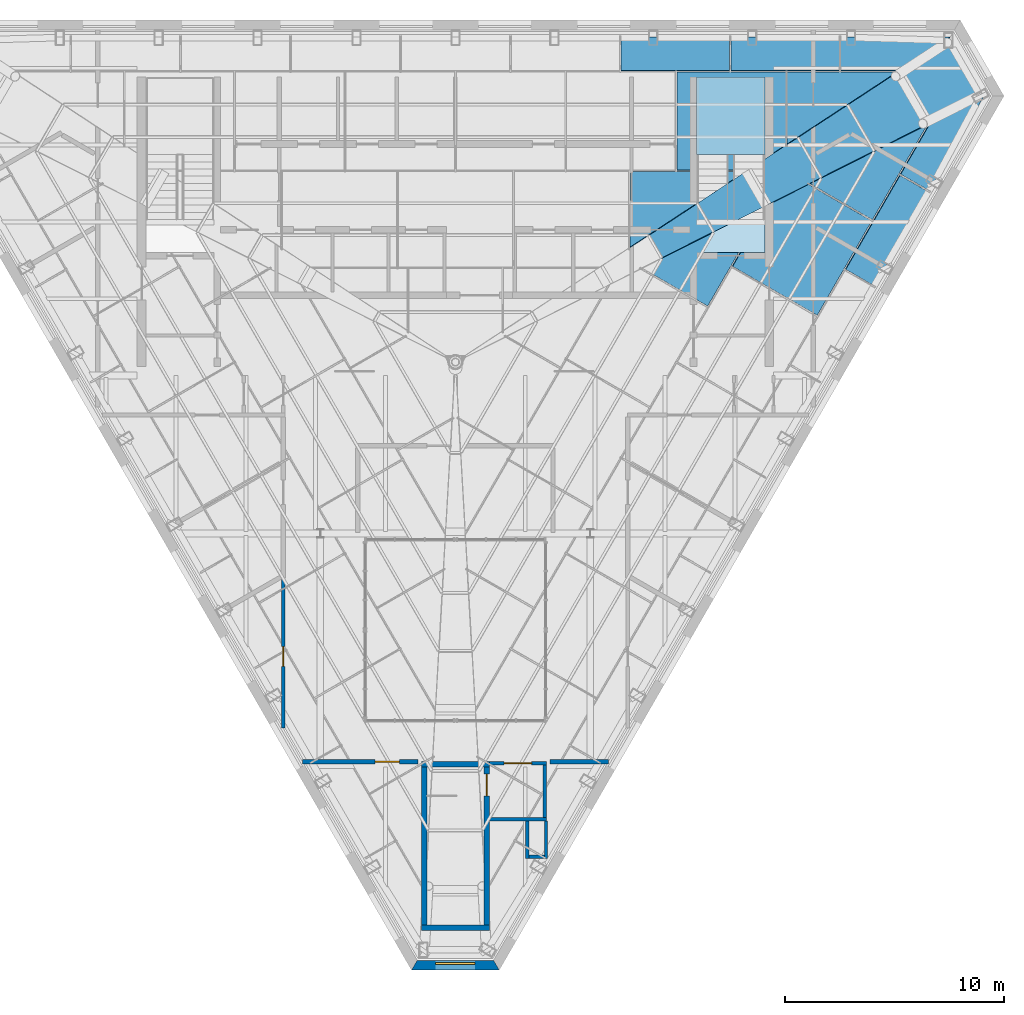
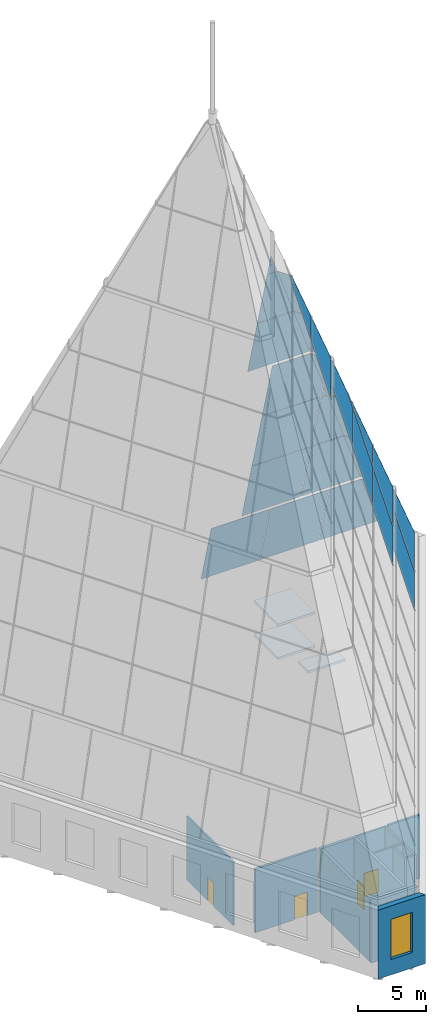
# One storey, part 29 of 36: 28 plates, 14 walls, 4 doors, 3 slabs, 1 shading device, 5 openings, 10 elements without a shape of their own.
"""IFC4 building model written with IfcOpenShell, lengths in metres."""

from ifc_helpers import new_model, si_unit, direction, frame, frame_2d, origin, place, context, subcontext, project, spatial, polyline, rectangle, outline, extrude, material, layer, layer_set, type_object, element, fill, aggregate, save


model = new_model("IFC4")

# Units and contexts
model_context = context("Model", 3, precision=1e-05, world=origin(), true_north=direction((0.0, 1.0)))
body_context = subcontext(model_context, "Body", "Model", "MODEL_VIEW")
ifc_project = project(units=[si_unit("LENGTHUNIT", "METRE"), si_unit("AREAUNIT", "SQUARE_METRE"), si_unit("VOLUMEUNIT", "CUBIC_METRE"), si_unit("PLANEANGLEUNIT", "RADIAN"), si_unit("MASSUNIT", "GRAM", prefix="KILO")], contexts=[model_context])

# Site, building, storey
site_placement = place(None, origin())
site = spatial("IfcSite", under=ifc_project, at=site_placement, CompositionType="ELEMENT")
building_placement = place(site_placement, origin())
building = spatial("IfcBuilding", under=site, at=building_placement, Name="Njiva Tower", CompositionType="ELEMENT")
storey_placement = place(building_placement, frame((0.0, 0.0, 337.8)))
storey = spatial("IfcBuildingStorey", under=building, at=storey_placement, Name="L77", CompositionType="ELEMENT", Elevation=337.8)

# Curtain wall, plates
ifc_material_1 = material(Name="Glazed curtain wall", Category="glass")
ifc_layer_1 = layer(ifc_material_1, 0.16)
ifc_layer_set_1 = layer_set([ifc_layer_1], Name="Glazed curtain wall")
curtain_wall_type_1 = type_object("IfcCurtainWallType", Name="CW2 Crown glazing, faceted point, long faces", PredefinedType="NOTDEFINED", material=ifc_layer_set_1)
curtain_wall_1_placement = place(storey_placement, origin())
curtain_wall_1 = element("IfcCurtainWall", 1, at=curtain_wall_1_placement, inside=storey, type_object=curtain_wall_type_1, Name="Crown glazing face N tier 1", PredefinedType="NOTDEFINED")
ifc_material_2 = material(Name="Clear laminated glass", Category="glass")
ifc_layer_2 = layer(ifc_material_2, 0.032)
ifc_layer_set_2 = layer_set([ifc_layer_2], Name="Clear laminated glass")
plate_type_1 = type_object("IfcPlateType", Name="CW2-P Crown glass panel 32", PredefinedType="CURTAIN_PANEL", material=ifc_layer_set_2)
plate_1_placement = place(storey_placement, frame((17.5596, 19.4154, 6.5043), z_axis=(0.0, 0.963853799093, 0.266431706022), x_axis=(0.0, -0.266431706022, 0.963853799093)))
plate_1 = element("IfcPlate", 2, at=plate_1_placement, type_object=plate_type_1, Name="CW2-11 panel 1.1", PredefinedType="CURTAIN_PANEL", context=body_context, shape_type="SweptSolid", body=[
    extrude(outline(polyline([(0.0, 0.0), (5.659987028253685, 0.0), (5.659987028253685, 2.6802999999999986), (0.0, 4.9784999999999995), (0.0, 0.0)])), origin(), (0.0, 0.0, -1.0), 0.032),
])
plate_2_placement = place(storey_placement, frame((12.5512, 19.4154, 6.5043), z_axis=(0.0, 0.963853799093, 0.266431706022), x_axis=(0.0, -0.266431706022, 0.963853799093)))
plate_2 = element("IfcPlate", 3, at=plate_2_placement, type_object=plate_type_1, Name="CW2-11 panel 2.1", PredefinedType="CURTAIN_PANEL", context=body_context, shape_type="SweptSolid", body=[
    extrude(outline(polyline([(0.0, 0.0), (5.659987028253685, 0.0), (5.659987028253685, 4.948400000000001), (0.0, 4.948400000000001), (0.0, 0.0)])), origin(), (0.0, 0.0, -1.0), 0.032),
])
plate_3_placement = place(storey_placement, frame((7.5427, 19.4154, 6.5043), z_axis=(0.0, 0.963853799093, 0.266431706022), x_axis=(0.0, -0.266431706022, 0.963853799093)))
plate_3 = element("IfcPlate", 4, at=plate_3_placement, type_object=plate_type_1, Name="CW2-11 panel 3.1", PredefinedType="CURTAIN_PANEL", context=body_context, shape_type="SweptSolid", body=[
    extrude(outline(polyline([(0.0, 0.0), (5.659987028253686, 0.0), (5.659987028253686, 4.948499999999999), (0.0, 4.948499999999999), (0.0, 0.0)])), origin(), (0.0, 0.0, -1.0), 0.032),
])
aggregate(curtain_wall_1, [plate_1, plate_2, plate_3])

curtain_wall_2_placement = place(storey_placement, origin())
curtain_wall_2 = element("IfcCurtainWall", 5, at=curtain_wall_2_placement, inside=storey, type_object=curtain_wall_type_1, Name="Crown glazing face N tier 2", PredefinedType="NOTDEFINED")
plate_4_placement = place(storey_placement, frame((15.1186, 17.8275, 12.2488), z_axis=(0.0, 0.963853230824, 0.266433761806), x_axis=(0.0, -0.266433761806, 0.963853230824)))
plate_4 = element("IfcPlate", 6, at=plate_4_placement, type_object=plate_type_1, Name="CW2-12 panel 1.1", PredefinedType="CURTAIN_PANEL", context=body_context, shape_type="SweptSolid", body=[
    extrude(outline(polyline([(0.0, 0.0), (5.541715096429952, 0.0), (5.541715096429952, 2.7492999999999976), (0.0, 4.999499999999997), (0.0, 0.0)])), origin(), (0.0, 0.0, -1.0), 0.032),
])
plate_5_placement = place(storey_placement, frame((17.8435, 16.3351, 17.648), z_axis=(0.0, 0.963853757245, 0.266431857414), x_axis=(-1.0, 0.0, 0.0)))
plate_5 = element("IfcPlate", 7, at=plate_5_placement, type_object=plate_type_1, Name="CW2-12 panel 1.2", PredefinedType="CURTAIN_PANEL", context=body_context, shape_type="SweptSolid", body=[
    extrude(outline(polyline([(0.0, 0.0), (2.724899999999998, 0.0), (2.724899999999998, 5.5117282679754815), (2.237899999999998, 5.5117282679754815), (0.0, 0.0)])), origin(), (0.0, 0.0, -1.0), 0.032),
])
plate_6_placement = place(storey_placement, frame((15.5812, 14.8506, 23.0183), z_axis=(0.0, 0.963869154255, 0.266376150352), x_axis=(-1.0, 0.0, 0.0)))
plate_6 = element("IfcPlate", 8, at=plate_6_placement, type_object=plate_type_1, Name="CW2-12 panel 1.3", PredefinedType="CURTAIN_PANEL", context=body_context, shape_type="SweptSolid", body=[
    extrude(outline(polyline([(0.0, 0.0), (0.4626000000000001, 0.0), (0.4626000000000001, 1.1393662668342952), (0.0, 0.0)])), origin(), (0.0, 0.0, -1.0), 0.032),
])
plate_7_placement = place(storey_placement, frame((10.089, 17.8275, 12.2488), z_axis=(0.0, 0.963853230824, 0.266433761806), x_axis=(0.0, -0.266433761806, 0.963853230824)))
plate_7 = element("IfcPlate", 9, at=plate_7_placement, type_object=plate_type_1, Name="CW2-12 panel 2.1", PredefinedType="CURTAIN_PANEL", context=body_context, shape_type="SweptSolid", body=[
    extrude(outline(polyline([(0.0, 0.0), (5.541715096429952, 0.0), (5.541715096429952, 4.9696), (0.0, 4.9696), (0.0, 0.0)])), origin(), (0.0, 0.0, -1.0), 0.032),
])
plate_8_placement = place(storey_placement, frame((10.089, 16.3351, 17.648), z_axis=(0.0, 0.963853757245, 0.266431857414), x_axis=(0.0, -0.266431857414, 0.963853757245)))
plate_8 = element("IfcPlate", 10, at=plate_8_placement, type_object=plate_type_1, Name="CW2-12 panel 2.2", PredefinedType="CURTAIN_PANEL", context=body_context, shape_type="SweptSolid", body=[
    extrude(outline(polyline([(0.0, 0.0), (5.5117282679754815, 0.0), (5.5117282679754815, 4.9696), (0.0, 4.9696), (0.0, 0.0)])), origin(), (0.0, 0.0, -1.0), 0.032),
])
plate_9_placement = place(storey_placement, frame((15.0586, 14.5077, 24.2589), z_axis=(-1.168663e-06, 0.963857961762, 0.266416646528), x_axis=(-9e-12, 0.266416646528, -0.963857961762)))
plate_9 = element("IfcPlate", 11, at=plate_9_placement, type_object=plate_type_1, Name="CW2-12 panel 2.3", PredefinedType="CURTAIN_PANEL", context=body_context, shape_type="SweptSolid", body=[
    extrude(outline(polyline([(0.0, 0.0), (1.2871164554568622, 0.0), (1.2871164555001644, 4.969599999996607), (-4.254571998391443, 4.9696000000472536), (-4.254571998419692, 1.7276000000494678), (0.0, 0.0)])), origin(), (0.0, 0.0, -1.0), 0.032),
])
aggregate(curtain_wall_2, [plate_4, plate_5, plate_6, plate_7, plate_8, plate_9])

curtain_wall_3_placement = place(storey_placement, origin())
curtain_wall_3 = element("IfcCurtainWall", 12, at=curtain_wall_3_placement, inside=storey, type_object=curtain_wall_type_1, Name="Crown glazing face N tier 3", PredefinedType="NOTDEFINED")
plate_10_placement = place(storey_placement, frame((7.9555, 13.2942, 28.6488), z_axis=(0.0, 0.963855724006, 0.266424742282), x_axis=(0.0, -0.266424742282, 0.963855724006)))
plate_10 = element("IfcPlate", 13, at=plate_10_placement, type_object=plate_type_1, Name="CW2-13 panel 1.1", PredefinedType="CURTAIN_PANEL", context=body_context, shape_type="SweptSolid", body=[
    extrude(outline(polyline([(0.0, 0.0), (5.403402055187086, 0.0), (5.403402055187086, 3.0597), (0.0, 5.2536999999999985), (0.0, 0.0)])), origin(), (0.0, 0.0, -1.0), 0.032),
])
plate_11_placement = place(storey_placement, frame((10.9908, 11.8386, 33.9147), z_axis=(0.0, 0.963854956869, 0.266427517571), x_axis=(-1.0, 0.0, 0.0)))
plate_11 = element("IfcPlate", 14, at=plate_11_placement, type_object=plate_type_1, Name="CW2-13 panel 1.2", PredefinedType="CURTAIN_PANEL", context=body_context, shape_type="SweptSolid", body=[
    extrude(outline(polyline([(0.0, 0.0), (3.0353000000000003, 0.0), (3.0353000000000003, 5.373318841274921), (2.181800000000001, 5.373318841274921), (0.0, 0.0)])), origin(), (0.0, 0.0, -1.0), 0.032),
])
plate_12_placement = place(storey_placement, frame((8.7846, 10.391, 39.1517), z_axis=(0.0, 0.963857423008, 0.266418595659), x_axis=(-1.0, 0.0, 0.0)))
plate_12 = element("IfcPlate", 15, at=plate_12_placement, type_object=plate_type_1, Name="CW2-13 panel 1.3", PredefinedType="CURTAIN_PANEL", context=body_context, shape_type="SweptSolid", body=[
    extrude(outline(polyline([(0.0, 0.0), (0.8290999999999995, 0.0), (0.8290999999999995, 2.041899510259986), (0.0, 0.0)])), origin(), (0.0, 0.0, -1.0), 0.032),
])
aggregate(curtain_wall_3, [plate_10, plate_11, plate_12])

curtain_wall_4_placement = place(storey_placement, origin())
curtain_wall_4 = element("IfcCurtainWall", 16, at=curtain_wall_4_placement, inside=storey, type_object=curtain_wall_type_1, Name="Crown glazing face SE tier 1", PredefinedType="NOTDEFINED")
plate_13_placement = place(storey_placement, frame((21.5704, 12.3647, 6.5043), z_axis=(0.83472112985, -0.481929472764, 0.266429387761), x_axis=(-0.230736106256, 0.133212116361, 0.963854439905)))
plate_13 = element("IfcPlate", 17, at=plate_13_placement, type_object=plate_type_1, Name="CW2-51 panel 8.1", PredefinedType="CURTAIN_PANEL", context=body_context, shape_type="SweptSolid", body=[
    extrude(outline(polyline([(0.0, 0.0), (5.659994801963875, -9.516584568991515e-17), (5.660001551394436, 4.948451867828215), (2.9823041187260202e-05, 4.948501867976678), (0.0, 0.0)])), origin(), (0.0, 0.0, -1.0), 0.032),
])
plate_14_placement = place(storey_placement, frame((20.2944, 13.1707, 11.9597), z_axis=(0.834725233972, -0.481917369766, 0.266438421569), x_axis=(0.230743929742, -0.133216633253, -0.963851942734)))
plate_14 = element("IfcPlate", 18, at=plate_14_placement, type_object=plate_type_1, Name="CW2-51 panel 9.1", PredefinedType="CURTAIN_PANEL", context=body_context, shape_type="SweptSolid", body=[
    extrude(outline(polyline([(0.0, 0.0), (5.659994802106447, -1.006855358906978e-16), (5.65999907775136, 4.978468528559135), (-2.5088588364585718e-06, 2.6802681675283404), (0.0, 0.0)])), origin(), (0.0, 0.0, -1.0), 0.032),
])
aggregate(curtain_wall_4, [plate_13, plate_14])

curtain_wall_5_placement = place(storey_placement, origin())
curtain_wall_5 = element("IfcCurtainWall", 19, at=curtain_wall_5_placement, inside=storey, type_object=curtain_wall_type_1, Name="Crown glazing face SE tier 2", PredefinedType="NOTDEFINED")
plate_15_placement = place(storey_placement, frame((18.9746, 11.0447, 12.2488), z_axis=(0.834724434486, -0.481924261072, 0.266428461432), x_axis=(-0.230733820148, 0.133214223347, 0.963854695967)))
plate_15 = element("IfcPlate", 20, at=plate_15_placement, type_object=plate_type_1, Name="CW2-52 panel 7.1", PredefinedType="CURTAIN_PANEL", context=body_context, shape_type="SweptSolid", body=[
    extrude(outline(polyline([(0.0, 0.0), (5.541688475154996, -6.712651403695605e-17), (5.541701818440935, 4.969513530063889), (-2.3051518410865945e-05, 4.969550133073891), (0.0, 0.0)])), origin(), (0.0, 0.0, -1.0), 0.032),
])
plate_16_placement = place(storey_placement, frame((17.6821, 11.7909, 17.648), z_axis=(0.834729858119, -0.481917694678, 0.266423346426), x_axis=(-0.230730669681, 0.133209450077, 0.963856109841)))
plate_16 = element("IfcPlate", 21, at=plate_16_placement, type_object=plate_type_1, Name="CW2-52 panel 7.2", PredefinedType="CURTAIN_PANEL", context=body_context, shape_type="SweptSolid", body=[
    extrude(outline(polyline([(0.0, 0.0), (5.511708154412694, -5.117434254131581e-17), (5.511711139073737, 4.969463530343138), (-1.0336283964518245e-05, 4.969550133494234), (0.0, 0.0)])), origin(), (0.0, 0.0, -1.0), 0.032),
])
plate_17_placement = place(storey_placement, frame((12.6332, 8.9676, 28.3597), z_axis=(0.834724724964, -0.48192425626, 0.266427560065), x_axis=(0.230733039541, -0.133213772665, -0.963854945122)))
plate_17 = element("IfcPlate", 22, at=plate_17_placement, type_object=plate_type_1, Name="CW2-52 panel 7.3", PredefinedType="CURTAIN_PANEL", context=body_context, shape_type="SweptSolid", body=[
    extrude(outline(polyline([(0.0, 0.0), (5.541688475214137, 6.186051020387606e-17), (5.541701818446638, 4.969513530053996), (4.254569498772333, 4.969536897878003), (-1.5804342648972902e-05, 3.241902923855679), (0.0, 0.0)])), origin(), (0.0, 0.0, -1.0), 0.032),
])
plate_18_placement = place(storey_placement, frame((19.1007, 14.2159, 17.5902), z_axis=(0.834723215778, -0.481929889064, 0.266422099435), x_axis=(-0.500001045535, -0.866024800139, -2.834736e-06)))
plate_18 = element("IfcPlate", 23, at=plate_18_placement, type_object=plate_type_1, Name="CW2-52 panel 8.1", PredefinedType="CURTAIN_PANEL", context=body_context, shape_type="SweptSolid", body=[
    extrude(outline(polyline([(0.0, 0.0), (2.7494430889080426, 0.0), (2.749456401006026, 5.541688475452821), (-2.2500737897843854, 5.541711265454847), (0.0, 0.0)])), origin(), (0.0, 0.0, -1.0), 0.032),
])
plate_19_placement = place(storey_placement, frame((16.6839, 12.9988, 22.9605), z_axis=(0.834718218358, -0.481937539072, 0.266423918547), x_axis=(-0.500012649397, -0.866018100453, 1.1394386e-05)))
plate_19 = element("IfcPlate", 24, at=plate_19_placement, type_object=plate_type_1, Name="CW2-52 panel 8.2", PredefinedType="CURTAIN_PANEL", context=body_context, shape_type="SweptSolid", body=[
    extrude(outline(polyline([(0.0, 0.0), (0.4869529130894281, -1.3877787807814457e-17), (0.4869433853380646, 5.511721476043171), (-2.2380399647256612, 5.511683505595823), (0.0, 0.0)])), origin(), (0.0, 0.0, -1.0), 0.032),
])
plate_20_placement = place(storey_placement, frame((16.1637, 12.7368, 24.1165), z_axis=(0.834717529377, -0.481952482638, 0.266399043972), x_axis=(0.230740790914, -0.133143316781, -0.963862824579)))
plate_20 = element("IfcPlate", 25, at=plate_20_placement, type_object=plate_type_1, Name="CW2-52 panel 8.3", PredefinedType="CURTAIN_PANEL", context=body_context, shape_type="SweptSolid", body=[
    extrude(outline(polyline([(0.0, 0.0), (1.1393737490393219, -2.1968646519987534e-17), (1.1394068812753706, 0.4625797757168536), (0.0, 0.0)])), origin(), (0.0, 0.0, -1.0), 0.032),
])
aggregate(curtain_wall_5, [plate_15, plate_16, plate_17, plate_18, plate_19, plate_20])

curtain_wall_6_placement = place(storey_placement, origin())
curtain_wall_6 = element("IfcCurtainWall", 26, at=curtain_wall_6_placement, inside=storey, type_object=curtain_wall_type_1, Name="Crown glazing face SE tier 3", PredefinedType="NOTDEFINED")
plate_21_placement = place(storey_placement, frame((11.7803, 10.5294, 33.8569), z_axis=(0.834720213512, -0.481933677548, 0.266424652762), x_axis=(-0.500007246219, -0.866021220123, 5.11917e-06)))
plate_21 = element("IfcPlate", 27, at=plate_21_placement, type_object=plate_type_1, Name="CW2-53 panel 5.1", PredefinedType="CURTAIN_PANEL", context=body_context, shape_type="SweptSolid", body=[
    extrude(outline(polyline([(0.0, 0.0), (3.059657512948766, 5.551115123125783e-17), (3.0595838914591487, 5.403418166413156), (-2.194058490221806, 5.403374013339207), (0.0, 0.0)])), origin(), (0.0, 0.0, -1.0), 0.032),
])
plate_22_placement = place(storey_placement, frame((9.4235, 9.3426, 39.0938), z_axis=(0.834715623335, -0.481937541352, 0.266432044611), x_axis=(-0.500009080535, -0.866020161031, -8.39177e-06)))
plate_22 = element("IfcPlate", 28, at=plate_22_placement, type_object=plate_type_1, Name="CW2-53 panel 5.2", PredefinedType="CURTAIN_PANEL", context=body_context, shape_type="SweptSolid", body=[
    extrude(outline(polyline([(0.0, 0.0), (0.8534293756822798, 0.0), (0.8534588107161187, 5.373318387031527), (-2.181825566097882, 5.373352244027854), (0.0, 0.0)])), origin(), (0.0, 0.0, -1.0), 0.032),
])
aggregate(curtain_wall_6, [plate_21, plate_22])

# Curtain wall, plate
ifc_layer_3 = layer(ifc_material_1, 0.16)
ifc_layer_set_3 = layer_set([ifc_layer_3], Name="Glazed curtain wall")
curtain_wall_type_2 = type_object("IfcCurtainWallType", Name="CW3 Crown glazing, faceted point, corner faces", PredefinedType="NOTDEFINED", material=ifc_layer_set_3)
curtain_wall_7_placement = place(storey_placement, origin())
curtain_wall_7 = element("IfcCurtainWall", 29, at=curtain_wall_7_placement, inside=storey, type_object=curtain_wall_type_2, Name="Crown glazing face NE tier 1", PredefinedType="NOTDEFINED")
ifc_layer_4 = layer(ifc_material_2, 0.032)
ifc_layer_set_4 = layer_set([ifc_layer_4], Name="Clear laminated glass")
plate_type_2 = type_object("IfcPlateType", Name="CW3-P Crown corner glass panel 32", PredefinedType="CURTAIN_PANEL", material=ifc_layer_set_4)
plate_23_placement = place(storey_placement, frame((24.1041, 16.752, 6.5162), z_axis=(0.773652131341, 0.446670873536, 0.449385703383), x_axis=(-0.500000818661, 0.866024931124, -3.145316e-06)))
plate_23 = element("IfcPlate", 30, at=plate_23_placement, type_object=plate_type_2, Name="CW3-61 panel 1.1", PredefinedType="CURTAIN_PANEL", context=body_context, shape_type="SweptSolid", body=[
    extrude(outline(polyline([(0.0, 0.0), (3.0762282781901, 0.0), (2.919085902585636, 6.118636153043085), (0.1571397392591491, 6.118615597656227), (0.0, 0.0)])), origin(), (0.0, 0.0, -1.0), 0.032),
])
aggregate(curtain_wall_7, [plate_23])

# Curtain wall, plates
curtain_wall_8_placement = place(storey_placement, origin())
curtain_wall_8 = element("IfcCurtainWall", 31, at=curtain_wall_8_placement, inside=storey, type_object=curtain_wall_type_2, Name="Crown glazing face NE tier 2", PredefinedType="NOTDEFINED")
plate_24_placement = place(storey_placement, frame((17.8964, 16.3521, 17.6007), z_axis=(0.773652890639, 0.446667523896, 0.44938772558), x_axis=(0.499997873412, -0.866026631563, 2.605923e-06)))
plate_24 = element("IfcPlate", 32, at=plate_24_placement, type_object=plate_type_2, Name="CW3-62 panel 1.1", PredefinedType="CURTAIN_PANEL", context=body_context, shape_type="SweptSolid", body=[
    extrude(outline(polyline([(0.0, 0.0), (2.4388322553632085, 0.0), (2.5927059009879754, 5.989349865468009), (-0.1538721244049297, 5.989334739278697), (0.0, 0.0)])), origin(), (0.0, 0.0, -1.0), 0.032),
])
plate_25_placement = place(storey_placement, frame((15.631, 14.8657, 22.978), z_axis=(0.773648655227, 0.446669149486, 0.449393401335), x_axis=(0.500004437177, -0.866022841952, -4.61551e-06)))
plate_25 = element("IfcPlate", 33, at=plate_25_placement, type_object=plate_type_2, Name="CW3-62 panel 1.2", PredefinedType="CURTAIN_PANEL", context=body_context, shape_type="SweptSolid", body=[
    extrude(outline(polyline([(0.0, 0.0), (2.129747254845407, 5.551115123125783e-17), (2.2828258982087117, 5.959349671605779), (-0.1530046909261565, 5.9593732601739635), (0.0, 0.0)])), origin(), (0.0, 0.0, -1.0), 0.032),
])
plate_26_placement = place(storey_placement, frame((16.6717, 13.0092, 23.0316), z_axis=(0.773656937166, 0.446669711923, 0.449378584298), x_axis=(-0.499998682896, 0.866026164214, -4.62174e-07)))
plate_26 = element("IfcPlate", 34, at=plate_26_placement, type_object=plate_type_2, Name="CW3-62 panel 1.3", PredefinedType="CURTAIN_PANEL", context=body_context, shape_type="SweptSolid", body=[
    extrude(outline(polyline([(0.0, 0.0), (2.126608986155005, 0.0), (1.9727508476230151, 5.989424432548018), (0.15375102904384605, 5.989422391271437), (0.0, 0.0)])), origin(), (0.0, 0.0, -1.0), 0.032),
])
aggregate(curtain_wall_8, [plate_24, plate_25, plate_26])

curtain_wall_9_placement = place(storey_placement, origin())
curtain_wall_9 = element("IfcCurtainWall", 35, at=curtain_wall_9_placement, inside=storey, type_object=curtain_wall_type_2, Name="Crown glazing face NE tier 3", PredefinedType="NOTDEFINED")
plate_27_placement = place(storey_placement, frame((11.0436, 11.8557, 33.8674), z_axis=(0.773643852805, 0.446682079259, 0.449388817267), x_axis=(0.50001570217, -0.866016337943, -2.13145e-07)))
plate_27 = element("IfcPlate", 36, at=plate_27_placement, type_object=plate_type_2, Name="CW3-63 panel 1.1", PredefinedType="CURTAIN_PANEL", context=body_context, shape_type="SweptSolid", body=[
    extrude(outline(polyline([(0.0, 0.0), (1.5035516785263805, -5.551115123125783e-17), (1.6536485413237358, 5.840129662240197), (-0.14989653712561282, 5.840130451296201), (0.0, 0.0)])), origin(), (0.0, 0.0, -1.0), 0.032),
])
plate_28_placement = place(storey_placement, frame((8.8345, 10.4061, 39.1114), z_axis=(0.77366309949, 0.446645409114, 0.449392130555), x_axis=(0.499977717174, -0.866038268383, -5.103905e-06)))
plate_28 = element("IfcPlate", 37, at=plate_28_placement, type_object=plate_type_2, Name="CW3-63 panel 1.2", PredefinedType="CURTAIN_PANEL", context=body_context, shape_type="SweptSolid", body=[
    extrude(outline(polyline([(0.0, 0.0), (1.2020324454080367, -2.7755575615628914e-17), (1.3511860733914418, 5.810133276016405), (-0.14931393979590174, 5.810148716444043), (0.0, 0.0)])), origin(), (0.0, 0.0, -1.0), 0.032),
])
aggregate(curtain_wall_9, [plate_27, plate_28])

# Stair, slabs
ifc_material_3 = material(Name="Concrete C40/50", Category="concrete")
stair_type = type_object("IfcStairType", Name="ST3 Exit stair 1450", PredefinedType="HALF_TURN_STAIR", material=ifc_material_3)
stair_placement = place(storey_placement, origin())
stair = element("IfcStair", 38, at=stair_placement, inside=storey, type_object=stair_type, Name="Stair B", PredefinedType="DOUBLE_RETURN_STAIR")
ifc_layer_5 = layer(ifc_material_3, 0.2)
ifc_layer_set_5 = layer_set([ifc_layer_5], Name="Concrete C40/50")
slab_type = type_object("IfcSlabType", Name="FL9 Stair landing 200", PredefinedType="LANDING", material=ifc_layer_set_5)
slab_1_placement = place(storey_placement, frame((0.0, 0.0, 1.3)))
slab_1 = element("IfcSlab", 39, at=slab_1_placement, type_object=slab_type, Name="ST-B landing 1", PredefinedType="LANDING", context=body_context, shape_type="SweptSolid", body=[
    extrude(outline(polyline([(10.994, 14.07), (14.106, 14.07), (14.106, 17.6), (10.994, 17.6), (10.994, 14.07)])), origin(), (0.0, 0.0, 1.0), 0.2),
])
slab_2_placement = place(storey_placement, frame((0.0, 0.0, 2.8)))
slab_2 = element("IfcSlab", 40, at=slab_2_placement, type_object=slab_type, Name="ST-B landing 2", PredefinedType="LANDING", context=body_context, shape_type="SweptSolid", body=[
    extrude(outline(polyline([(10.994, 9.6), (14.106, 9.6), (14.106, 11.1), (10.994, 11.1), (10.994, 9.6)])), origin(), (0.0, 0.0, 1.0), 0.2),
])
slab_3_placement = place(storey_placement, frame((0.0, 0.0, 4.3)))
slab_3 = element("IfcSlab", 41, at=slab_3_placement, type_object=slab_type, Name="ST-B landing 3", PredefinedType="LANDING", context=body_context, shape_type="SweptSolid", body=[
    extrude(outline(polyline([(10.994, 14.07), (14.106, 14.07), (14.106, 17.6), (10.994, 17.6), (10.994, 14.07)])), origin(), (0.0, 0.0, 1.0), 0.2),
])
aggregate(stair, [slab_1, slab_2, slab_3])

# Wall, opening, door
ifc_material_4 = material(Name="Blockwork", Category="masonry")
ifc_layer_6 = layer(ifc_material_4, 0.2)
ifc_layer_set_6 = layer_set([ifc_layer_6], Name="Blockwork")
wall_type_1 = type_object("IfcWallType", Name="WT22 Plant room wall 200", PredefinedType="PARTITIONING", material=ifc_layer_set_6)
wall_1_placement = place(storey_placement, frame((-6.966, -13.6, 0.0), z_axis=(0.0, 0.0, 1.0), x_axis=(1.0, 0.0, 0.0)))
wall_1 = element("IfcWall", 42, at=wall_1_placement, inside=storey, type_object=wall_type_1, Name="Partition CR-P012", PredefinedType="PARTITIONING", context=body_context, shape_type="SweptSolid", body=[
    extrude(rectangle(XDim=5.266, YDim=0.2, at=frame_2d((2.633, 0.0))), origin(), (0.0, 0.0, 1.0), 5.7),
])
opening_1_placement = place(wall_1_placement, frame((3.31, 0.0, 0.0)))
opening_1 = element("IfcOpeningElement", 43, at=opening_1_placement, cuts=wall_1, Name="Opening CR-D009", PredefinedType="OPENING", context=body_context, shape_type="SweptSolid", body=[
    extrude(rectangle(XDim=1.1, YDim=2.1, at=frame_2d((0.55, 1.05))), frame((0.0, 0.11, 0.0), z_axis=(0.0, -1.0, 0.0), x_axis=(1.0, 0.0, 0.0)), (0.0, 0.0, 1.0), 0.22),
])
ifc_material_5 = material(Name="Steel door set", Category="steel")
door_type_1 = type_object("IfcDoorType", Name="D34 Plant door 1100x2100", OperationType="SINGLE_SWING_LEFT", PredefinedType="DOOR", material=ifc_material_5)
door_1_placement = place(opening_1_placement, origin())
door_1 = element("IfcDoor", 44, at=door_1_placement, inside=storey, type_object=door_type_1, Name="Door CR-D009", OperationType="SINGLE_SWING_RIGHT", OverallHeight=2.1, OverallWidth=1.1, PredefinedType="DOOR", context=body_context, shape_type="SweptSolid", body=[
    extrude(rectangle(XDim=1.1, YDim=2.1, at=frame_2d((0.55, 1.05))), frame((0.0, 0.025, 0.0), z_axis=(0.0, -1.0, 0.0), x_axis=(1.0, 0.0, 0.0)), (0.0, 0.0, 1.0), 0.05),
])
fill(opening_1, door_1)

# Wall
wall_2_placement = place(storey_placement, frame((4.3, -13.6, 0.0), z_axis=(0.0, 0.0, 1.0), x_axis=(1.0, 0.0, 0.0)))
element("IfcWall", 45, at=wall_2_placement, inside=storey, type_object=wall_type_1, Name="Partition CR-P015", PredefinedType="PARTITIONING", context=body_context, shape_type="SweptSolid", body=[
    extrude(rectangle(XDim=2.666, YDim=0.2, at=frame_2d((1.333, 0.0))), origin(), (0.0, 0.0, 1.0), 5.7),
])

# Wall, opening, door
ifc_material_6 = material(Name="Gypsum board on steel studs", Category="gypsum")
ifc_layer_7 = layer(ifc_material_6, 0.15)
ifc_layer_set_7 = layer_set([ifc_layer_7], Name="Gypsum board on steel studs")
wall_type_2 = type_object("IfcWallType", Name="WT24 Riser room wall 150", PredefinedType="PARTITIONING", material=ifc_layer_set_7)
wall_3_placement = place(storey_placement, frame((-7.85, -12.068, 0.0), z_axis=(0.0, 0.0, 1.0), x_axis=(0.0, 1.0, 0.0)))
wall_3 = element("IfcWall", 46, at=wall_3_placement, inside=storey, type_object=wall_type_2, Name="Partition CR-P009", PredefinedType="PARTITIONING", context=body_context, shape_type="SweptSolid", body=[
    extrude(rectangle(XDim=6.783, YDim=0.15, at=frame_2d((3.3915, 0.0))), origin(), (0.0, 0.0, 1.0), 5.7),
])
opening_2_placement = place(wall_3_placement, frame((2.816, 0.0, 0.0)))
opening_2 = element("IfcOpeningElement", 47, at=opening_2_placement, cuts=wall_3, Name="Opening CR-D006", PredefinedType="OPENING", context=body_context, shape_type="SweptSolid", body=[
    extrude(rectangle(XDim=0.9, YDim=2.1, at=frame_2d((0.45, 1.05))), frame((0.0, 0.085, 0.0), z_axis=(0.0, -1.0, 0.0), x_axis=(1.0, 0.0, 0.0)), (0.0, 0.0, 1.0), 0.17),
])
ifc_material_7 = material(Name="Steel fire door set", Category="steel")
door_type_2 = type_object("IfcDoorType", Name="D36 Fire door 900x2100", OperationType="SINGLE_SWING_LEFT", PredefinedType="DOOR", material=ifc_material_7)
door_2_placement = place(opening_2_placement, origin())
door_2 = element("IfcDoor", 48, at=door_2_placement, inside=storey, type_object=door_type_2, Name="Door CR-D006", OperationType="SINGLE_SWING_RIGHT", OverallHeight=2.1, OverallWidth=0.9, PredefinedType="DOOR", context=body_context, shape_type="SweptSolid", body=[
    extrude(rectangle(XDim=0.9, YDim=2.1, at=frame_2d((0.45, 1.05))), frame((0.0, 0.025, 0.0), z_axis=(0.0, -1.0, 0.0), x_axis=(1.0, 0.0, 0.0)), (0.0, 0.0, 1.0), 0.05),
])
fill(opening_2, door_2)

# Walls
ifc_layer_8 = layer(ifc_material_4, 0.15)
ifc_layer_set_8 = layer_set([ifc_layer_8], Name="Blockwork")
wall_type_3 = type_object("IfcWallType", Name="WT4 Stair partition 150", PredefinedType="PARTITIONING", material=ifc_layer_set_8)
wall_4_placement = place(storey_placement, frame((1.55, -16.225, 0.0), z_axis=(0.0, 0.0, 1.0), x_axis=(1.0, 0.0, 0.0)))
element("IfcWall", 49, at=wall_4_placement, inside=storey, type_object=wall_type_3, Name="Stair C vestibule wall south", PredefinedType="PARTITIONING", context=body_context, shape_type="SweptSolid", body=[
    extrude(rectangle(XDim=2.6, YDim=0.15, at=frame_2d((1.3, 0.0))), origin(), (0.0, 0.0, 1.0), 5.7),
])
wall_5_placement = place(storey_placement, frame((4.075, -16.15, 0.0), z_axis=(0.0, 0.0, 1.0), x_axis=(0.0, 1.0, 0.0)))
element("IfcWall", 50, at=wall_5_placement, inside=storey, type_object=wall_type_3, Name="Stair C vestibule wall east", PredefinedType="PARTITIONING", context=body_context, shape_type="SweptSolid", body=[
    extrude(rectangle(XDim=2.4, YDim=0.15, at=frame_2d((1.2, 0.0))), origin(), (0.0, 0.0, 1.0), 5.7),
])

# Wall, opening, door
wall_6_placement = place(storey_placement, frame((1.55, -13.675, 0.0), z_axis=(0.0, 0.0, 1.0), x_axis=(1.0, 0.0, 0.0)))
wall_6 = element("IfcWall", 51, at=wall_6_placement, inside=storey, type_object=wall_type_3, Name="Stair C vestibule wall north", PredefinedType="PARTITIONING", context=body_context, shape_type="SweptSolid", body=[
    extrude(rectangle(XDim=2.6, YDim=0.15, at=frame_2d((1.3, 0.0))), origin(), (0.0, 0.0, 1.0), 5.7),
])
opening_3_placement = place(wall_6_placement, frame((0.675, 0.0, 0.0)))
opening_3 = element("IfcOpeningElement", 52, at=opening_3_placement, cuts=wall_6, Name="Opening CR-D928", PredefinedType="OPENING", context=body_context, shape_type="SweptSolid", body=[
    extrude(rectangle(XDim=1.25, YDim=2.1, at=frame_2d((0.625, 1.05))), frame((0.0, 0.085, 0.0), z_axis=(0.0, -1.0, 0.0), x_axis=(1.0, 0.0, 0.0)), (0.0, 0.0, 1.0), 0.17),
])
ifc_material_8 = material(Name="Glazed steel fire door", Category="steel")
door_type_3 = type_object("IfcDoorType", Name="D8 Vestibule corridor door 1250x2100 glazed", OperationType="SINGLE_SWING_LEFT", PredefinedType="DOOR", material=ifc_material_8)
door_3_placement = place(opening_3_placement, origin())
door_3 = element("IfcDoor", 53, at=door_3_placement, inside=storey, type_object=door_type_3, Name="Stair vestibule corridor door", OperationType="SINGLE_SWING_RIGHT", OverallHeight=2.1, OverallWidth=1.25, PredefinedType="DOOR", context=body_context, shape_type="SweptSolid", body=[
    extrude(rectangle(XDim=1.25, YDim=2.1, at=frame_2d((0.625, 1.05))), frame((0.0, 0.025, 0.0), z_axis=(0.0, -1.0, 0.0), x_axis=(1.0, 0.0, 0.0)), (0.0, 0.0, 1.0), 0.05),
])
fill(opening_3, door_3)

# Walls
wall_7_placement = place(storey_placement, frame((3.275, -18.0, 0.0), z_axis=(0.0, 0.0, 1.0), x_axis=(0.0, 1.0, 0.0)))
element("IfcWall", 54, at=wall_7_placement, inside=storey, type_object=wall_type_3, Name="Stair C pressurisation shaft wall", PredefinedType="PARTITIONING", context=body_context, shape_type="SweptSolid", body=[
    extrude(rectangle(XDim=1.7, YDim=0.15, at=frame_2d((0.85, 0.0))), origin(), (0.0, 0.0, 1.0), 5.7),
])
wall_8_placement = place(storey_placement, frame((3.35, -17.925, 0.0), z_axis=(0.0, 0.0, 1.0), x_axis=(1.0, 0.0, 0.0)))
element("IfcWall", 55, at=wall_8_placement, inside=storey, type_object=wall_type_3, Name="Stair C pressurisation shaft wall", PredefinedType="PARTITIONING", context=body_context, shape_type="SweptSolid", body=[
    extrude(rectangle(XDim=0.7, YDim=0.15, at=frame_2d((0.35, 0.0))), origin(), (0.0, 0.0, 1.0), 5.7),
])
wall_9_placement = place(storey_placement, frame((4.125, -18.0, 0.0), z_axis=(0.0, 0.0, 1.0), x_axis=(0.0, 1.0, 0.0)))
element("IfcWall", 56, at=wall_9_placement, inside=storey, type_object=wall_type_3, Name="Stair C pressurisation shaft wall", PredefinedType="PARTITIONING", context=body_context, shape_type="SweptSolid", body=[
    extrude(rectangle(XDim=1.7, YDim=0.15, at=frame_2d((0.85, 0.0))), origin(), (0.0, 0.0, 1.0), 5.7),
])
ifc_layer_9 = layer(ifc_material_3, 0.25)
ifc_layer_set_9 = layer_set([ifc_layer_9], Name="Concrete C40/50")
wall_type_4 = type_object("IfcWallType", Name="WT9 Stair enclosure wall 250", PredefinedType="SHEAR", material=ifc_layer_set_9)
wall_10_placement = place(storey_placement, frame((-1.425, -21.05, 0.0), z_axis=(0.0, 0.0, 1.0), x_axis=(0.0, 1.0, 0.0)))
element("IfcWall", 57, at=wall_10_placement, inside=storey, type_object=wall_type_4, Name="Stair C wall west", PredefinedType="SHEAR", context=body_context, shape_type="SweptSolid", body=[
    extrude(rectangle(XDim=7.2, YDim=0.25, at=frame_2d((3.6, 0.0))), origin(), (0.0, 0.0, 1.0), 5.7),
])

# Wall, opening, door
wall_11_placement = place(storey_placement, frame((1.425, -21.05, 0.0), z_axis=(0.0, 0.0, 1.0), x_axis=(0.0, 1.0, 0.0)))
wall_11 = element("IfcWall", 58, at=wall_11_placement, inside=storey, type_object=wall_type_4, Name="Stair C wall east", PredefinedType="SHEAR", context=body_context, shape_type="SweptSolid", body=[
    extrude(rectangle(XDim=7.2, YDim=0.25, at=frame_2d((3.6, 0.0))), origin(), (0.0, 0.0, 1.0), 5.7),
])
opening_4_placement = place(wall_11_placement, frame((5.89, 0.0, 0.0)))
opening_4 = element("IfcOpeningElement", 59, at=opening_4_placement, cuts=wall_11, Name="Opening CR-D927", PredefinedType="OPENING", context=body_context, shape_type="SweptSolid", body=[
    extrude(rectangle(XDim=1.0, YDim=2.1, at=frame_2d((0.5, 1.05))), frame((0.0, 0.135, 0.0), z_axis=(0.0, -1.0, 0.0), x_axis=(1.0, 0.0, 0.0)), (0.0, 0.0, 1.0), 0.27),
])
door_type_4 = type_object("IfcDoorType", Name="D9 Stair vestibule door 1000x2100 glazed", OperationType="SINGLE_SWING_LEFT", PredefinedType="DOOR", material=ifc_material_8)
door_4_placement = place(opening_4_placement, origin())
door_4 = element("IfcDoor", 60, at=door_4_placement, inside=storey, type_object=door_type_4, Name="Stair C door", OperationType="SINGLE_SWING_LEFT", OverallHeight=2.1, OverallWidth=1.0, PredefinedType="DOOR", context=body_context, shape_type="SweptSolid", body=[
    extrude(rectangle(XDim=1.0, YDim=2.1, at=frame_2d((0.5, 1.05))), frame((0.0, 0.025, 0.0), z_axis=(0.0, -1.0, 0.0), x_axis=(1.0, 0.0, 0.0)), (0.0, 0.0, 1.0), 0.05),
])
fill(opening_4, door_4)

# Walls
for number, where, z_axis, x_axis, name in (
    (61, (-1.55, -21.175, 0.0), (0.0, 0.0, 1.0), (1.0, 0.0, 0.0), "Stair C wall south"),
    (62, (-1.55, -13.725, 0.0), (0.0, 0.0, 1.0), (1.0, 0.0, 0.0), "Stair C wall north"),
):
    element("IfcWall", number, at=place(storey_placement, frame(where, z_axis=z_axis, x_axis=x_axis)), inside=storey, type_object=wall_type_4, Name=name, PredefinedType="SHEAR", context=body_context, shape_type="SweptSolid", body=[
        extrude(rectangle(XDim=3.1, YDim=0.25, at=frame_2d((1.55, 0.0))), origin(), (0.0, 0.0, 1.0), 5.7),
    ])

# Wall, opening, shading device
ifc_material_9 = material(Name="Brick masonry, buff", Category="masonry")
ifc_layer_10 = layer(ifc_material_9, 0.45)
ifc_layer_set_10 = layer_set([ifc_layer_10], Name="Brick masonry, buff")
wall_type_5 = type_object("IfcWallType", Name="WT94 Brick pier and spandrel wall 450, buff", PredefinedType="SOLIDWALL", material=ifc_layer_set_10)
wall_12_placement = place(storey_placement, frame((-1.8701, -22.8763, -0.18), z_axis=(0.0, 0.0, 1.0), x_axis=(1.0, 0.0, 0.0)))
wall_12 = element("IfcWall", 63, at=wall_12_placement, inside=storey, type_object=wall_type_5, Name="Facade wall S", PredefinedType="SOLIDWALL", context=body_context, shape_type="SweptSolid", body=[
    extrude(outline(polyline([(-0.1299, -0.225), (3.8701, -0.225), (3.6103, 0.225), (0.1299, 0.225), (-0.1299, -0.225)])), origin(), (0.0, 0.0, 1.0), 6.18),
])
opening_5_placement = place(wall_12_placement, frame((0.9701, 0.0, 1.38)))
opening_5 = element("IfcOpeningElement", 64, at=opening_5_placement, cuts=wall_12, Name="Opening CR-LV22", PredefinedType="OPENING", context=body_context, shape_type="SweptSolid", body=[
    extrude(rectangle(XDim=1.8, YDim=3.6, at=frame_2d((0.9, 1.8))), frame((0.0, 0.235, 0.0), z_axis=(0.0, -1.0, 0.0), x_axis=(1.0, 0.0, 0.0)), (0.0, 0.0, 1.0), 0.47),
])
ifc_material_10 = material(Name="Aluminium louvre blades", Category="aluminium")
shading_device_type = type_object("IfcShadingDeviceType", Name="LV2 Plant louvre 1800x3600", PredefinedType="JALOUSIE", material=ifc_material_10)
shading_device_placement = place(opening_5_placement, origin())
shading_device = element("IfcShadingDevice", 65, at=shading_device_placement, inside=storey, type_object=shading_device_type, Name="Plant louvre", PredefinedType="JALOUSIE", context=body_context, shape_type="SweptSolid", body=[
    extrude(rectangle(XDim=1.8, YDim=3.6, at=frame_2d((0.9, 1.8))), frame((0.0, 0.125, 0.0), z_axis=(0.0, -1.0, 0.0), x_axis=(1.0, 0.0, 0.0)), (0.0, 0.0, 1.0), 0.1),
])
fill(opening_5, shading_device)

save(model, "model.ifc")
